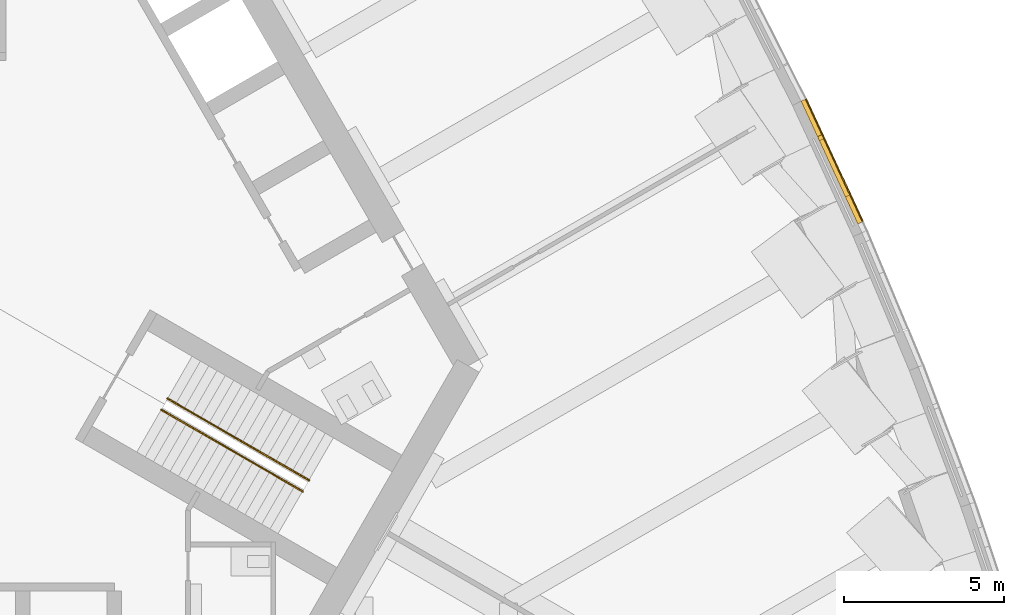
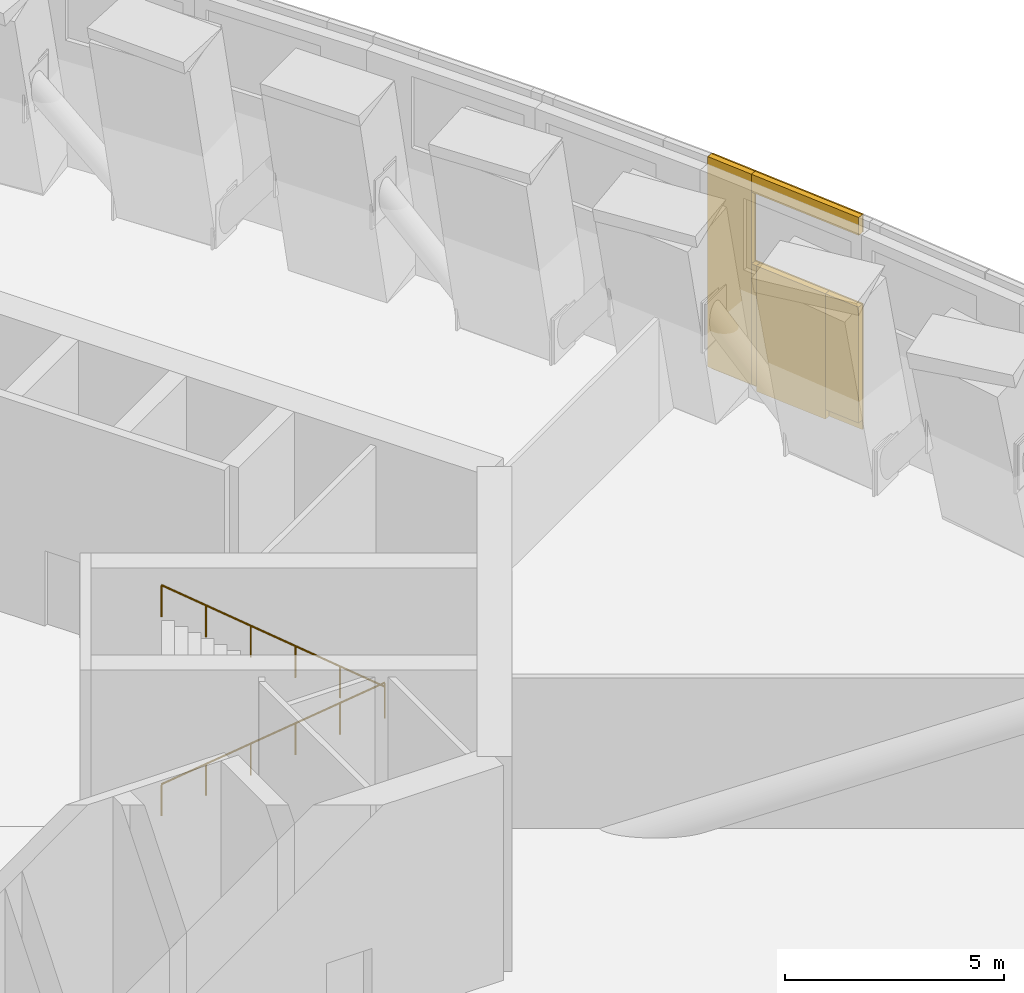
# One storey, part 15 of 25: 8 coverings, 2 railings.
"""IFC4 building model written with IfcOpenShell, lengths in metres."""

from ifc_helpers import new_model, si_unit, direction, frame, origin, origin_2d, place, context, subcontext, project, spatial, rectangle, circle, extrude, material, layer, layer_set, type_object, element, save


model = new_model("IFC4")

# Units and contexts
model_context = context("Model", 3, precision=1e-05, world=origin(), true_north=direction((0.0, 1.0)))
body_context = subcontext(model_context, "Body", "Model", "MODEL_VIEW")
ifc_project = project(units=[si_unit("LENGTHUNIT", "METRE"), si_unit("AREAUNIT", "SQUARE_METRE"), si_unit("VOLUMEUNIT", "CUBIC_METRE"), si_unit("PLANEANGLEUNIT", "RADIAN"), si_unit("MASSUNIT", "GRAM", prefix="KILO")], contexts=[model_context])

# Site, building, storey
site_placement = place(None, origin())
site = spatial("IfcSite", under=ifc_project, at=site_placement, CompositionType="ELEMENT")
building_placement = place(site_placement, origin())
building = spatial("IfcBuilding", under=site, at=building_placement, Name="Trefoil Bronze Tower", CompositionType="ELEMENT")
storey_placement = place(building_placement, frame((0.0, 0.0, 178.699951171875)))
storey = spatial("IfcBuildingStorey", under=building, at=storey_placement, Name="L41", CompositionType="ELEMENT", Elevation=178.699951171875)

# Coverings
ifc_material_1 = material(Name="Bronze-finish aluminium rainscreen panel on aluminium rails", Category="aluminium")
ifc_layer_1 = layer(ifc_material_1, 0.0400390625)
ifc_layer_set_1 = layer_set([ifc_layer_1], Name="Bronze cladding panel 40")
covering_type_1 = type_object("IfcCoveringType", Name="Bronze cladding panel 40", PredefinedType="CLADDING", material=ifc_layer_set_1)
covering_1_placement = place(storey_placement, frame((27.541259765625, 4.774658203125, 0.0), z_axis=(0.0, 0.0, 1.0), x_axis=(-0.419932995776, 0.907555110756, 0.0)))
element("IfcCovering", 1, at=covering_1_placement, inside=storey, type_object=covering_type_1, Name="Cladding panel L41 Face 2.5 piece 2", PredefinedType="CLADDING", context=body_context, shape_type="SweptSolid", body=[
    extrude(rectangle(XDim=1.21826171875, YDim=0.0400390625, at=origin_2d()), origin(), (0.0, 0.0, 1.0), 6.0),
])
covering_2_placement = place(storey_placement, frame((28.427001953125, 2.860595703125, 0.0), z_axis=(0.0, 0.0, 1.0), x_axis=(-0.419932995776, 0.907555110756, 0.0)))
element("IfcCovering", 2, at=covering_2_placement, inside=storey, type_object=covering_type_1, Name="Cladding panel L41 Face 2.5 piece 3", PredefinedType="CLADDING", context=body_context, shape_type="SweptSolid", body=[
    extrude(rectangle(XDim=3.0, YDim=0.0400390625, at=origin_2d()), origin(), (0.0, 0.0, 1.0), 3.5),
])
covering_3_placement = place(storey_placement, frame((28.427001953125, 2.860595703125, 5.5), z_axis=(0.0, 0.0, 1.0), x_axis=(-0.419932995776, 0.907555110756, 0.0)))
element("IfcCovering", 3, at=covering_3_placement, inside=storey, type_object=covering_type_1, Name="Cladding panel L41 Face 2.5 piece 4", PredefinedType="CLADDING", context=body_context, shape_type="SweptSolid", body=[
    extrude(rectangle(XDim=3.0, YDim=0.0400390625, at=origin_2d()), origin(), (0.0, 0.0, 1.0), 0.5),
])

# Railings
ifc_material_2 = material(Name="Steel handrail", Category="steel")
railing_type = type_object("IfcRailingType", Name="Handrail 900", PredefinedType="HANDRAIL", material=ifc_material_2)
railing_1_placement = place(storey_placement, frame((7.365966796875, -4.021728515625, 0.166748046875)))
element("IfcRailing", 4, at=railing_1_placement, inside=storey, type_object=railing_type, Name="Handrail ST1 flight 1 L41", PredefinedType="HANDRAIL", context=body_context, shape_type="SweptSolid", body=[
    extrude(circle(Radius=0.02392578125, at=origin_2d()), frame((0.0, 0.0, 0.8759765625), z_axis=(0.757046119685, -0.437087320773, 0.485629330548), x_axis=(0.500005610874, 0.86602216432, 0.0)), (0.0, 0.0, 1.0), 5.834228515625),
    extrude(circle(Radius=0.02099609375, at=origin_2d()), origin(), (0.0, 0.0, 1.0), 0.851806640625),
    extrude(circle(Radius=0.02099609375, at=origin_2d()), frame((0.88330078125, -0.510009765625, 0.566650390625)), (0.0, 0.0, 1.0), 0.851806640625),
    extrude(circle(Radius=0.02099609375, at=origin_2d()), frame((1.7666015625, -1.02001953125, 1.13330078125)), (0.0, 0.0, 1.0), 0.851806640625),
    extrude(circle(Radius=0.02099609375, at=origin_2d()), frame((2.650146484375, -1.530029296875, 1.699951171875)), (0.0, 0.0, 1.0), 0.851806640625),
    extrude(circle(Radius=0.02099609375, at=origin_2d()), frame((3.533447265625, -2.0400390625, 2.2666015625)), (0.0, 0.0, 1.0), 0.851806640625),
    extrude(circle(Radius=0.02099609375, at=origin_2d()), frame((4.416748046875, -2.550048828125, 2.833251953125)), (0.0, 0.0, 1.0), 0.851806640625),
])
railing_2_placement = place(storey_placement, frame((11.582763671875, -6.918212890625, 3.166748046875)))
element("IfcRailing", 5, at=railing_2_placement, inside=storey, type_object=railing_type, Name="Handrail ST1 flight 2 L41", PredefinedType="HANDRAIL", context=body_context, shape_type="SweptSolid", body=[
    extrude(circle(Radius=0.02392578125, at=origin_2d()), frame((0.0, 0.0, 0.8759765625), z_axis=(-0.757046119685, 0.437087320773, 0.485629330548), x_axis=(-0.500005610874, -0.86602216432, 0.0)), (0.0, 0.0, 1.0), 5.834228515625),
    extrude(circle(Radius=0.02099609375, at=origin_2d()), origin(), (0.0, 0.0, 1.0), 0.851806640625),
    extrude(circle(Radius=0.02099609375, at=origin_2d()), frame((-0.88330078125, 0.510009765625, 0.566650390625)), (0.0, 0.0, 1.0), 0.851806640625),
    extrude(circle(Radius=0.02099609375, at=origin_2d()), frame((-1.7666015625, 1.02001953125, 1.13330078125)), (0.0, 0.0, 1.0), 0.851806640625),
    extrude(circle(Radius=0.02099609375, at=origin_2d()), frame((-2.650146484375, 1.530029296875, 1.699951171875)), (0.0, 0.0, 1.0), 0.851806640625),
    extrude(circle(Radius=0.02099609375, at=origin_2d()), frame((-3.533447265625, 2.0400390625, 2.2666015625)), (0.0, 0.0, 1.0), 0.851806640625),
    extrude(circle(Radius=0.02099609375, at=origin_2d()), frame((-4.416748046875, 2.550048828125, 2.833251953125)), (0.0, 0.0, 1.0), 0.851806640625),
])

# Coverings
ifc_material_3 = material(Name="Non-combustible mineral wool slab", Category="insulation")
ifc_layer_2 = layer(ifc_material_3, 0.14990234375)
ifc_layer_set_2 = layer_set([ifc_layer_2], Name="Rainscreen insulation 150")
covering_type_2 = type_object("IfcCoveringType", Name="Rainscreen insulation 150", PredefinedType="INSULATION", material=ifc_layer_set_2)
covering_4_placement = place(storey_placement, frame((27.455078125, 4.73486328125, 0.14013671875), z_axis=(0.0, 0.0, 1.0), x_axis=(-0.419932995776, 0.907555110756, 0.0)))
element("IfcCovering", 6, at=covering_4_placement, inside=storey, type_object=covering_type_2, Name="Insulation L41 Face 2.5 piece 2", PredefinedType="INSULATION", context=body_context, shape_type="SweptSolid", body=[
    extrude(rectangle(XDim=1.21826171875, YDim=0.14990234375, at=origin_2d()), origin(), (0.0, 0.0, 1.0), 5.860107421875),
])
covering_5_placement = place(storey_placement, frame((28.775390625, 1.88134765625, 0.27001953125), z_axis=(0.0, 0.0, 1.0), x_axis=(-0.419932995776, 0.907555110756, 0.0)))
element("IfcCovering", 7, at=covering_5_placement, inside=storey, type_object=covering_type_2, Name="Insulation L41 Face 2.5 piece 3", PredefinedType="INSULATION", context=body_context, shape_type="SweptSolid", body=[
    extrude(rectangle(XDim=0.929931640625, YDim=0.14990234375, at=origin_2d()), origin(), (0.0, 0.0, 1.0), 3.22998046875),
])
covering_6_placement = place(storey_placement, frame((28.1748046875, 3.17919921875, 0.0), z_axis=(0.0, 0.0, 1.0), x_axis=(-0.419932995776, 0.907555110756, 0.0)))
element("IfcCovering", 8, at=covering_6_placement, inside=storey, type_object=covering_type_2, Name="Insulation L41 Face 2.5 piece 3 part 2", PredefinedType="INSULATION", context=body_context, shape_type="SweptSolid", body=[
    extrude(rectangle(XDim=1.929931640625, YDim=0.14990234375, at=origin_2d()), origin(), (0.0, 0.0, 1.0), 3.5),
])
covering_7_placement = place(storey_placement, frame((27.740234375, 4.118408203125, 0.14501953125), z_axis=(0.0, 0.0, 1.0), x_axis=(-0.419932995776, 0.907555110756, 0.0)))
element("IfcCovering", 9, at=covering_7_placement, inside=storey, type_object=covering_type_2, Name="Insulation L41 Face 2.5 piece 3 part 3", PredefinedType="INSULATION", context=body_context, shape_type="SweptSolid", body=[
    extrude(rectangle(XDim=0.139892578125, YDim=0.14990234375, at=origin_2d()), origin(), (0.0, 0.0, 1.0), 3.35498046875),
])
covering_8_placement = place(storey_placement, frame((28.340576171875, 2.820556640625, 5.5), z_axis=(0.0, 0.0, 1.0), x_axis=(-0.419932995776, 0.907555110756, 0.0)))
element("IfcCovering", 10, at=covering_8_placement, inside=storey, type_object=covering_type_2, Name="Insulation L41 Face 2.5 piece 4", PredefinedType="INSULATION", context=body_context, shape_type="SweptSolid", body=[
    extrude(rectangle(XDim=3.0, YDim=0.14990234375, at=origin_2d()), origin(), (0.0, 0.0, 1.0), 0.5),
])

save(model, "model.ifc")
